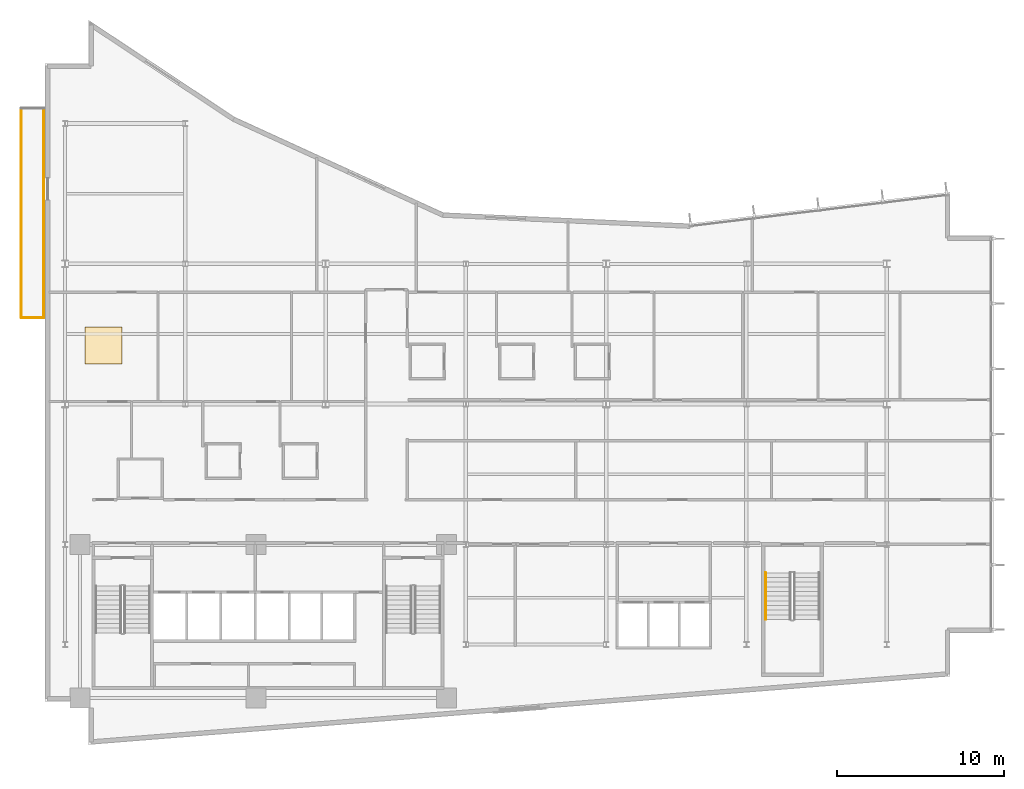
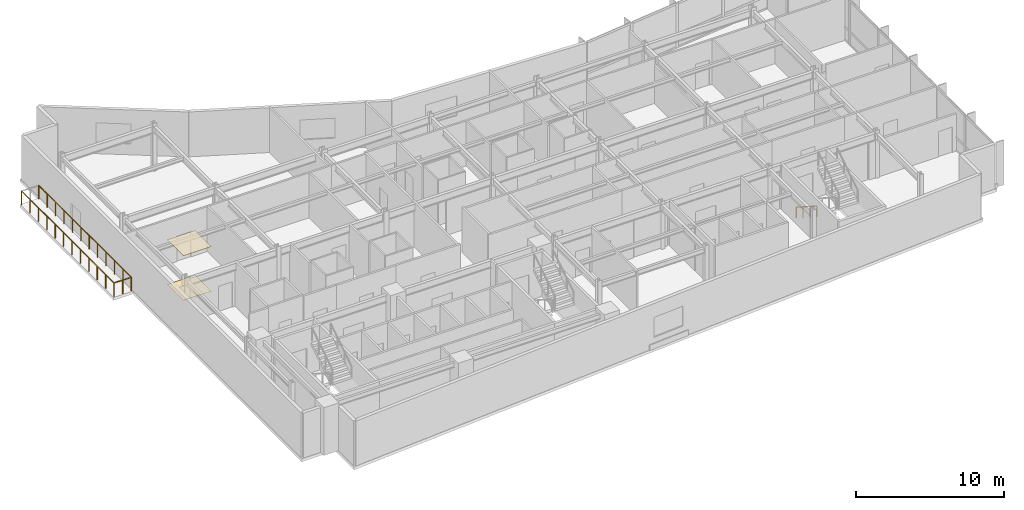
# One storey, part 16 of 19: 4 railings, 2 coverings.
"""IFC4 building model written with IfcOpenShell, lengths in metres."""

from ifc_helpers import new_model, si_unit, direction, frame, origin, origin_2d, place, context, subcontext, project, spatial, rectangle, circle, extrude, material, layer, layer_set, type_object, element, save


model = new_model("IFC4")

# Units and contexts
model_context = context("Model", 3, precision=1e-05, world=origin(), true_north=direction((0.0, 1.0)))
body_context = subcontext(model_context, "Body", "Model", "MODEL_VIEW")
ifc_project = project(units=[si_unit("LENGTHUNIT", "METRE"), si_unit("AREAUNIT", "SQUARE_METRE"), si_unit("VOLUMEUNIT", "CUBIC_METRE"), si_unit("PLANEANGLEUNIT", "RADIAN"), si_unit("MASSUNIT", "GRAM", prefix="KILO")], contexts=[model_context])

# Site, building, storey
site_placement = place(None, origin())
site = spatial("IfcSite", under=ifc_project, at=site_placement, CompositionType="ELEMENT")
building_placement = place(site_placement, origin())
building = spatial("IfcBuilding", under=site, at=building_placement, Name="Varnakote Quay Hospital", CompositionType="ELEMENT")
storey_placement = place(building_placement, frame((0.0, 0.0, 162.60009765625)))
storey = spatial("IfcBuildingStorey", under=building, at=storey_placement, Name="L40", CompositionType="ELEMENT", Elevation=162.60009765625)

# Coverings
ifc_material_1 = material(Name="Antimicrobial acoustic mineral ceiling tile", Category="gypsum")
ifc_layer_1 = layer(ifc_material_1, 0.02490234375)
ifc_layer_set_1 = layer_set([ifc_layer_1], Name="Antimicrobial acoustic mineral ceiling tile")
covering_type_1 = type_object("IfcCoveringType", Name="COV-CLIN-CEIL-25", PredefinedType="CEILING", material=ifc_layer_set_1)
covering_1_placement = place(storey_placement, frame((3.5048828125, 23.9150390625, 3.68505859375), z_axis=(0.0, 0.0, 1.0), x_axis=(1.0, 0.0, 0.0)))
element("IfcCovering", 1, at=covering_1_placement, inside=storey, type_object=covering_type_1, Name="L40 Antimicrobial Acoustic Ceiling Tile", PredefinedType="CEILING", context=body_context, shape_type="SweptSolid", body=[
    extrude(rectangle(XDim=2.199951171875, YDim=2.199951171875, at=origin_2d()), origin(), (0.0, 0.0, 1.0), 0.02490234375),
])
ifc_material_2 = material(Name="Seamless clinical sheet vinyl flooring")
ifc_layer_2 = layer(ifc_material_2, 0.011962890625)
ifc_layer_set_2 = layer_set([ifc_layer_2], Name="Seamless clinical sheet vinyl flooring")
covering_type_2 = type_object("IfcCoveringType", Name="COV-CLIN-VINYL-12", PredefinedType="FLOORING", material=ifc_layer_set_2)
covering_2_placement = place(storey_placement, frame((3.5048828125, 23.9150390625, 0.0), z_axis=(0.0, 0.0, 1.0), x_axis=(1.0, 0.0, 0.0)))
element("IfcCovering", 2, at=covering_2_placement, inside=storey, type_object=covering_type_2, Name="L40 Seamless Clinical Vinyl Flooring", PredefinedType="FLOORING", context=body_context, shape_type="SweptSolid", body=[
    extrude(rectangle(XDim=2.199951171875, YDim=2.199951171875, at=origin_2d()), origin(), (0.0, 0.0, 1.0), 0.011962890625),
])

# Railings
ifc_material_3 = material(Name="Anodised aluminium 6063-T6 Bronze", Category="aluminium")
railing_type_1 = type_object("IfcRailingType", Name="RLG-EXT-GUARD-1150", PredefinedType="GUARDRAIL", material=ifc_material_3)
railing_1_placement = place(storey_placement, frame((-0.075927734375, 25.580078125, 0.0)))
element("IfcRailing", 3, at=railing_1_placement, inside=storey, type_object=railing_type_1, Name="L40 Zigzag Prow Healing Terrace Safety Guard", PredefinedType="GUARDRAIL", context=body_context, shape_type="SweptSolid", body=[
    extrude(circle(Radius=0.02392578125, at=origin_2d()), frame((0.0, 0.0, 1.1259765625), z_axis=(-1.0, 0.0, 0.0), x_axis=(0.0, -1.0, 0.0)), (0.0, 0.0, 1.0), 1.343994140625),
    extrude(circle(Radius=0.02099609375, at=origin_2d()), origin(), (0.0, 0.0, 1.0), 1.101806640625),
    extrude(circle(Radius=0.02099609375, at=origin_2d()), frame((-0.671875, 0.0, 0.0)), (0.0, 0.0, 1.0), 1.101806640625),
    extrude(circle(Radius=0.02099609375, at=origin_2d()), frame((-1.343994140625, 0.0, 0.0)), (0.0, 0.0, 1.0), 1.101806640625),
])
railing_2_placement = place(storey_placement, frame((-1.419921875, 25.580078125, 0.0)))
element("IfcRailing", 4, at=railing_2_placement, inside=storey, type_object=railing_type_1, Name="L40 Zigzag Prow Healing Terrace Safety Guard", PredefinedType="GUARDRAIL", context=body_context, shape_type="SweptSolid", body=[
    extrude(circle(Radius=0.02392578125, at=origin_2d()), frame((0.0, 0.0, 1.1259765625), z_axis=(0.0, 1.0, 0.0), x_axis=(-1.0, 0.0, 0.0)), (0.0, 0.0, 1.0), 12.5400390625),
    extrude(circle(Radius=0.02099609375, at=origin_2d()), origin(), (0.0, 0.0, 1.0), 1.101806640625),
    extrude(circle(Radius=0.02099609375, at=origin_2d()), frame((0.0, 1.139892578125, 0.0)), (0.0, 0.0, 1.0), 1.101806640625),
    extrude(circle(Radius=0.02099609375, at=origin_2d()), frame((0.0, 2.280029296875, 0.0)), (0.0, 0.0, 1.0), 1.101806640625),
    extrude(circle(Radius=0.02099609375, at=origin_2d()), frame((0.0, 3.419921875, 0.0)), (0.0, 0.0, 1.0), 1.101806640625),
    extrude(circle(Radius=0.02099609375, at=origin_2d()), frame((0.0, 4.56005859375, 0.0)), (0.0, 0.0, 1.0), 1.101806640625),
    extrude(circle(Radius=0.02099609375, at=origin_2d()), frame((0.0, 5.699951171875, 0.0)), (0.0, 0.0, 1.0), 1.101806640625),
    extrude(circle(Radius=0.02099609375, at=origin_2d()), frame((0.0, 6.840087890625, 0.0)), (0.0, 0.0, 1.0), 1.101806640625),
    extrude(circle(Radius=0.02099609375, at=origin_2d()), frame((0.0, 7.97998046875, 0.0)), (0.0, 0.0, 1.0), 1.101806640625),
    extrude(circle(Radius=0.02099609375, at=origin_2d()), frame((0.0, 9.1201171875, 0.0)), (0.0, 0.0, 1.0), 1.101806640625),
    extrude(circle(Radius=0.02099609375, at=origin_2d()), frame((0.0, 10.260009765625, 0.0)), (0.0, 0.0, 1.0), 1.101806640625),
    extrude(circle(Radius=0.02099609375, at=origin_2d()), frame((0.0, 11.400146484375, 0.0)), (0.0, 0.0, 1.0), 1.101806640625),
    extrude(circle(Radius=0.02099609375, at=origin_2d()), frame((0.0, 12.5400390625, 0.0)), (0.0, 0.0, 1.0), 1.101806640625),
])
railing_3_placement = place(storey_placement, frame((-0.075927734375, 38.1201171875, 0.0)))
element("IfcRailing", 5, at=railing_3_placement, inside=storey, type_object=railing_type_1, Name="L40 Zigzag Prow Healing Terrace Safety Guard", PredefinedType="GUARDRAIL", context=body_context, shape_type="SweptSolid", body=[
    extrude(circle(Radius=0.02392578125, at=origin_2d()), frame((0.0, 0.0, 1.1259765625), z_axis=(0.0, -1.0, 0.0), x_axis=(1.0, 0.0, 0.0)), (0.0, 0.0, 1.0), 12.5400390625),
    extrude(circle(Radius=0.02099609375, at=origin_2d()), origin(), (0.0, 0.0, 1.0), 1.101806640625),
    extrude(circle(Radius=0.02099609375, at=origin_2d()), frame((0.0, -1.139892578125, 0.0)), (0.0, 0.0, 1.0), 1.101806640625),
    extrude(circle(Radius=0.02099609375, at=origin_2d()), frame((0.0, -2.280029296875, 0.0)), (0.0, 0.0, 1.0), 1.101806640625),
    extrude(circle(Radius=0.02099609375, at=origin_2d()), frame((0.0, -3.419921875, 0.0)), (0.0, 0.0, 1.0), 1.101806640625),
    extrude(circle(Radius=0.02099609375, at=origin_2d()), frame((0.0, -4.56005859375, 0.0)), (0.0, 0.0, 1.0), 1.101806640625),
    extrude(circle(Radius=0.02099609375, at=origin_2d()), frame((0.0, -5.699951171875, 0.0)), (0.0, 0.0, 1.0), 1.101806640625),
    extrude(circle(Radius=0.02099609375, at=origin_2d()), frame((0.0, -6.840087890625, 0.0)), (0.0, 0.0, 1.0), 1.101806640625),
    extrude(circle(Radius=0.02099609375, at=origin_2d()), frame((0.0, -7.97998046875, 0.0)), (0.0, 0.0, 1.0), 1.101806640625),
    extrude(circle(Radius=0.02099609375, at=origin_2d()), frame((0.0, -9.1201171875, 0.0)), (0.0, 0.0, 1.0), 1.101806640625),
    extrude(circle(Radius=0.02099609375, at=origin_2d()), frame((0.0, -10.260009765625, 0.0)), (0.0, 0.0, 1.0), 1.101806640625),
    extrude(circle(Radius=0.02099609375, at=origin_2d()), frame((0.0, -11.400146484375, 0.0)), (0.0, 0.0, 1.0), 1.101806640625),
    extrude(circle(Radius=0.02099609375, at=origin_2d()), frame((0.0, -12.5400390625, 0.0)), (0.0, 0.0, 1.0), 1.101806640625),
])
ifc_material_4 = material(Name="Brushed stainless steel handrail", Category="steel")
railing_type_2 = type_object("IfcRailingType", Name="RLG-STAIR-HND-920", PredefinedType="HANDRAIL", material=ifc_material_4)
railing_4_placement = place(storey_placement, frame((43.14990234375, 10.300048828125, 0.179443359375)))
element("IfcRailing", 6, at=railing_4_placement, inside=storey, type_object=railing_type_2, Name="L40 ST-03 stair handrail 1", PredefinedType="HANDRAIL", context=body_context, shape_type="SweptSolid", body=[
    extrude(circle(Radius=0.02392578125, at=origin_2d()), frame((0.0, 0.0, 0.8759765625), z_axis=(0.0, -0.841809871826, 0.539774156196), x_axis=(1.0, 0.0, 0.0)), (0.0, 0.0, 1.0), 3.326171875),
    extrude(circle(Radius=0.02099609375, at=origin_2d()), origin(), (0.0, 0.0, 1.0), 0.851806640625),
    extrude(circle(Radius=0.02099609375, at=origin_2d()), frame((0.0, -0.933349609375, 0.598388671875)), (0.0, 0.0, 1.0), 0.851806640625),
    extrude(circle(Radius=0.02099609375, at=origin_2d()), frame((0.0, -1.86669921875, 1.197021484375)), (0.0, 0.0, 1.0), 0.851806640625),
    extrude(circle(Radius=0.02099609375, at=origin_2d()), frame((0.0, -2.800048828125, 1.79541015625)), (0.0, 0.0, 1.0), 0.851806640625),
])

save(model, "model.ifc")
